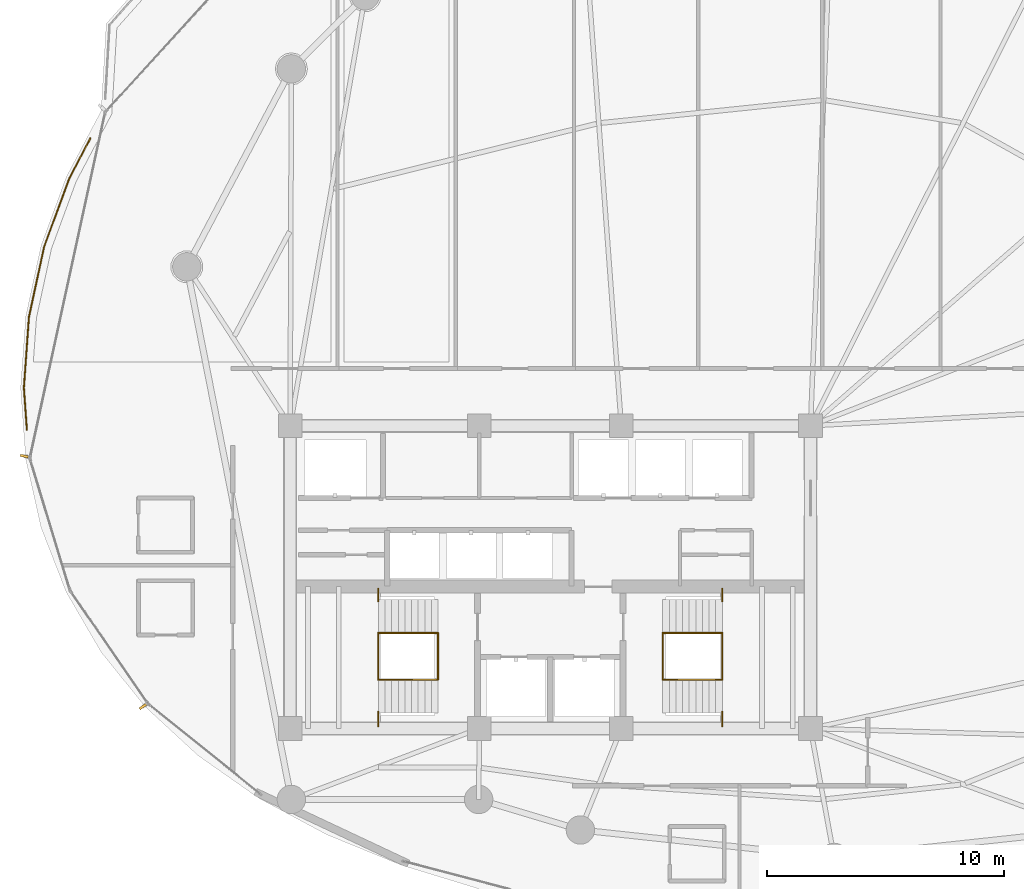
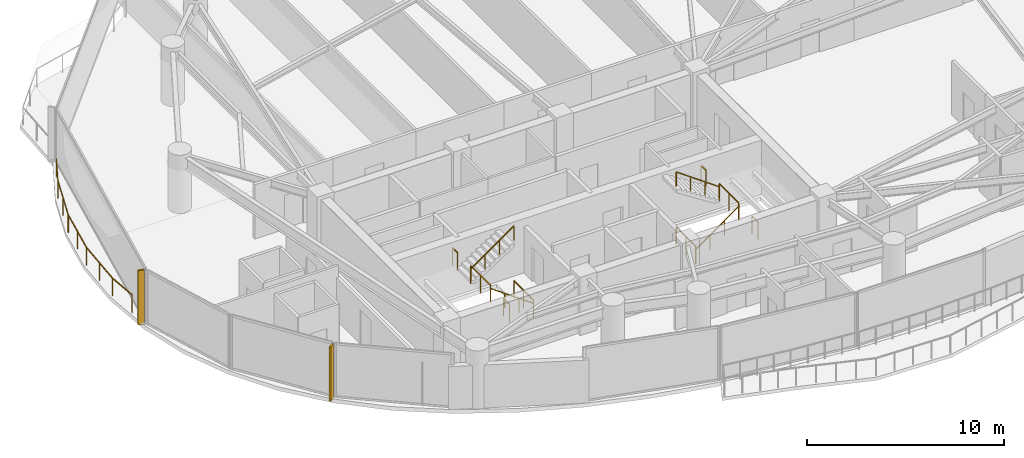
# One storey, part 31 of 34: 13 railings, 2 shading devices.
"""IFC4 building model written with IfcOpenShell, lengths in metres."""

from ifc_helpers import new_model, si_unit, direction, frame, origin, origin_2d, place, context, subcontext, project, spatial, rectangle, extrude, material, type_object, element, save


model = new_model("IFC4")

# Units and contexts
model_context = context("Model", 3, precision=1e-05, world=origin(), true_north=direction((0.0, 1.0)))
body_context = subcontext(model_context, "Body", "Model", "MODEL_VIEW")
ifc_project = project(units=[si_unit("LENGTHUNIT", "METRE"), si_unit("AREAUNIT", "SQUARE_METRE"), si_unit("VOLUMEUNIT", "CUBIC_METRE"), si_unit("PLANEANGLEUNIT", "RADIAN"), si_unit("MASSUNIT", "GRAM", prefix="KILO")], contexts=[model_context])

# Site, building, storey
site_placement = place(None, origin())
site = spatial("IfcSite", under=ifc_project, at=site_placement, CompositionType="ELEMENT")
building_placement = place(site_placement, origin())
building = spatial("IfcBuilding", under=site, at=building_placement, Name="Kazevale Care Tower and Concert Hall", CompositionType="ELEMENT")
storey_placement = place(building_placement, frame((0.0, 0.0, 156.60009765625)))
storey = spatial("IfcBuildingStorey", under=building, at=storey_placement, Name="L41", CompositionType="ELEMENT", Elevation=156.60009765625)

# Railings
ifc_material_1 = material(Name="Anodised Bronze Aluminium and Laminated Glass", Category="aluminium")
railing_type_1 = type_object("IfcRailingType", Name="Balcony and Terrace Balustrade 1120", PredefinedType="BALUSTRADE", material=ifc_material_1)
railing_1_placement = place(storey_placement, frame((10.867919921875, 36.22705078125, 0.0)))
element("IfcRailing", 1, at=railing_1_placement, inside=storey, type_object=railing_type_1, Name="rail:L41:perim:1", PredefinedType="BALUSTRADE", context=body_context, shape_type="SweptSolid", body=[
    extrude(rectangle(XDim=0.048095703125, YDim=0.048095703125, at=origin_2d()), frame((0.0, 0.0, 1.09619140625), z_axis=(-0.071969318028, 0.997406846409, 0.0), x_axis=(-0.997406846409, -0.071969318028, 0.0)), (0.0, 0.0, 1.0), 1.777587890625),
    extrude(rectangle(XDim=0.048095703125, YDim=0.048095703125, at=origin_2d()), frame((-0.1279296875, 1.77294921875, 1.09619140625), z_axis=(0.071442989214, 0.997444684828, 0.0), x_axis=(-0.997444684828, 0.071442989214, 0.0)), (0.0, 0.0, 1.0), 3.0107421875),
    extrude(rectangle(XDim=0.048095703125, YDim=0.048095703125, at=origin_2d()), frame((0.087158203125, 4.77587890625, 1.09619140625), z_axis=(0.211501042265, 0.97737777196, 0.0), x_axis=(-0.97737777196, 0.211501042265, 0.0)), (0.0, 0.0, 1.0), 3.03466796875),
    extrude(rectangle(XDim=0.048095703125, YDim=0.048095703125, at=origin_2d()), frame((0.72900390625, 7.741943359375, 1.09619140625), z_axis=(0.344808910619, 0.938672901046, 0.0), x_axis=(-0.938672901046, 0.344808910619, 0.0)), (0.0, 0.0, 1.0), 3.080078125),
    extrude(rectangle(XDim=0.048095703125, YDim=0.048095703125, at=origin_2d()), frame((1.791015625, 10.633056640625, 1.09619140625), z_axis=(0.466764151967, 0.884381832942, 0.0), x_axis=(-0.884381832942, 0.466764151967, 0.0)), (0.0, 0.0, 1.0), 1.91748046875),
    extrude(rectangle(XDim=0.0419921875, YDim=0.0419921875, at=origin_2d()), origin(), (0.0, 0.0, 1.0), 1.072021484375),
    extrude(rectangle(XDim=0.0419921875, YDim=0.0419921875, at=origin_2d()), frame((-0.1279296875, 1.77294921875, 0.0)), (0.0, 0.0, 1.0), 1.072021484375),
    extrude(rectangle(XDim=0.0419921875, YDim=0.0419921875, at=origin_2d()), frame((-0.0205078125, 3.2744140625, 0.0)), (0.0, 0.0, 1.0), 1.072021484375),
    extrude(rectangle(XDim=0.0419921875, YDim=0.0419921875, at=origin_2d()), frame((0.087158203125, 4.77587890625, 0.0)), (0.0, 0.0, 1.0), 1.072021484375),
    extrude(rectangle(XDim=0.0419921875, YDim=0.0419921875, at=origin_2d()), frame((0.408203125, 6.2587890625, 0.0)), (0.0, 0.0, 1.0), 1.072021484375),
    extrude(rectangle(XDim=0.0419921875, YDim=0.0419921875, at=origin_2d()), frame((0.72900390625, 7.741943359375, 0.0)), (0.0, 0.0, 1.0), 1.072021484375),
    extrude(rectangle(XDim=0.0419921875, YDim=0.0419921875, at=origin_2d()), frame((1.260009765625, 9.1875, 0.0)), (0.0, 0.0, 1.0), 1.072021484375),
    extrude(rectangle(XDim=0.0419921875, YDim=0.0419921875, at=origin_2d()), frame((1.791015625, 10.633056640625, 0.0)), (0.0, 0.0, 1.0), 1.072021484375),
    extrude(rectangle(XDim=0.0419921875, YDim=0.0419921875, at=origin_2d()), frame((2.68603515625, 12.328857421875, 0.0)), (0.0, 0.0, 1.0), 1.072021484375),
])
ifc_material_2 = material(Name="Stainless Steel 316", Category="steel")
railing_type_2 = type_object("IfcRailingType", Name="Stair Pitch Handrail 920", PredefinedType="HANDRAIL", material=ifc_material_2)
railing_2_placement = place(storey_placement, frame((28.25, 25.659912109375, 0.0)))
element("IfcRailing", 2, at=railing_2_placement, inside=storey, type_object=railing_type_2, Name="stair:L41:ST1:hr1", PredefinedType="HANDRAIL", context=body_context, shape_type="SweptSolid", body=[
    extrude(rectangle(XDim=0.048095703125, YDim=0.048095703125, at=origin_2d()), frame((0.0, 0.0, 0.89599609375), z_axis=(-0.813765431312, 0.0, 0.581193446971), x_axis=(0.0, -1.0, 0.0)), (0.0, 0.0, 1.0), 3.0966796875),
    extrude(rectangle(XDim=0.0419921875, YDim=0.0419921875, at=origin_2d()), origin(), (0.0, 0.0, 1.0), 0.871826171875),
    extrude(rectangle(XDim=0.0419921875, YDim=0.0419921875, at=origin_2d()), frame((-0.840087890625, 0.0, 0.599853515625)), (0.0, 0.0, 1.0), 0.871826171875),
    extrude(rectangle(XDim=0.0419921875, YDim=0.0419921875, at=origin_2d()), frame((-1.679931640625, 0.0, 1.199951171875)), (0.0, 0.0, 1.0), 0.871826171875),
    extrude(rectangle(XDim=0.0419921875, YDim=0.0419921875, at=origin_2d()), frame((-2.52001953125, 0.0, 1.7998046875)), (0.0, 0.0, 1.0), 0.871826171875),
])
railing_3_placement = place(storey_placement, frame((25.72998046875, 27.639892578125, 1.7998046875)))
element("IfcRailing", 3, at=railing_3_placement, inside=storey, type_object=railing_type_2, Name="stair:L41:ST1:hr2", PredefinedType="HANDRAIL", context=body_context, shape_type="SweptSolid", body=[
    extrude(rectangle(XDim=0.048095703125, YDim=0.048095703125, at=origin_2d()), frame((0.0, 0.0, 0.89599609375), z_axis=(0.813728144527, 0.0, 0.581245650998), x_axis=(0.0, 1.0, 0.0)), (0.0, 0.0, 1.0), 3.096923828125),
    extrude(rectangle(XDim=0.0419921875, YDim=0.0419921875, at=origin_2d()), origin(), (0.0, 0.0, 1.0), 0.871826171875),
    extrude(rectangle(XDim=0.0419921875, YDim=0.0419921875, at=origin_2d()), frame((0.840087890625, 0.0, 0.60009765625)), (0.0, 0.0, 1.0), 0.871826171875),
    extrude(rectangle(XDim=0.0419921875, YDim=0.0419921875, at=origin_2d()), frame((1.679931640625, 0.0, 1.199951171875)), (0.0, 0.0, 1.0), 0.871826171875),
    extrude(rectangle(XDim=0.0419921875, YDim=0.0419921875, at=origin_2d()), frame((2.52001953125, 0.0, 1.800048828125)), (0.0, 0.0, 1.0), 0.871826171875),
])
railing_4_placement = place(storey_placement, frame((37.75, 25.659912109375, 0.0)))
element("IfcRailing", 4, at=railing_4_placement, inside=storey, type_object=railing_type_2, Name="stair:L41:ST2:hr1", PredefinedType="HANDRAIL", context=body_context, shape_type="SweptSolid", body=[
    extrude(rectangle(XDim=0.048095703125, YDim=0.048095703125, at=origin_2d()), frame((0.0, 0.0, 0.89599609375), z_axis=(0.813765431312, 0.0, 0.581193446971), x_axis=(0.0, 1.0, 0.0)), (0.0, 0.0, 1.0), 3.0966796875),
    extrude(rectangle(XDim=0.0419921875, YDim=0.0419921875, at=origin_2d()), origin(), (0.0, 0.0, 1.0), 0.871826171875),
    extrude(rectangle(XDim=0.0419921875, YDim=0.0419921875, at=origin_2d()), frame((0.840087890625, 0.0, 0.599853515625)), (0.0, 0.0, 1.0), 0.871826171875),
    extrude(rectangle(XDim=0.0419921875, YDim=0.0419921875, at=origin_2d()), frame((1.679931640625, 0.0, 1.199951171875)), (0.0, 0.0, 1.0), 0.871826171875),
    extrude(rectangle(XDim=0.0419921875, YDim=0.0419921875, at=origin_2d()), frame((2.52001953125, 0.0, 1.7998046875)), (0.0, 0.0, 1.0), 0.871826171875),
])
railing_5_placement = place(storey_placement, frame((40.27001953125, 27.639892578125, 1.7998046875)))
element("IfcRailing", 5, at=railing_5_placement, inside=storey, type_object=railing_type_2, Name="stair:L41:ST2:hr2", PredefinedType="HANDRAIL", context=body_context, shape_type="SweptSolid", body=[
    extrude(rectangle(XDim=0.048095703125, YDim=0.048095703125, at=origin_2d()), frame((0.0, 0.0, 0.89599609375), z_axis=(-0.813728144527, 0.0, 0.581245650998), x_axis=(0.0, -1.0, 0.0)), (0.0, 0.0, 1.0), 3.096923828125),
    extrude(rectangle(XDim=0.0419921875, YDim=0.0419921875, at=origin_2d()), origin(), (0.0, 0.0, 1.0), 0.871826171875),
    extrude(rectangle(XDim=0.0419921875, YDim=0.0419921875, at=origin_2d()), frame((-0.840087890625, 0.0, 0.60009765625)), (0.0, 0.0, 1.0), 0.871826171875),
    extrude(rectangle(XDim=0.0419921875, YDim=0.0419921875, at=origin_2d()), frame((-1.679931640625, 0.0, 1.199951171875)), (0.0, 0.0, 1.0), 0.871826171875),
    extrude(rectangle(XDim=0.0419921875, YDim=0.0419921875, at=origin_2d()), frame((-2.52001953125, 0.0, 1.800048828125)), (0.0, 0.0, 1.0), 0.871826171875),
])
railing_type_3 = type_object("IfcRailingType", Name="Stair Well Guard Balustrade 1120", PredefinedType="BALUSTRADE", material=ifc_material_2)
railing_6_placement = place(storey_placement, frame((25.72998046875, 23.699951171875, 1.7998046875)))
element("IfcRailing", 6, at=railing_6_placement, inside=storey, type_object=railing_type_3, Name="stair:L41:ST1:grd_side1", PredefinedType="BALUSTRADE", context=body_context, shape_type="SweptSolid", body=[
    extrude(rectangle(XDim=0.048095703125, YDim=0.048095703125, at=origin_2d()), frame((0.0, 0.0, 1.09619140625), z_axis=(0.0, 1.0, 0.0), x_axis=(-1.0, 0.0, 0.0)), (0.0, 0.0, 1.0), 0.610107421875),
    extrude(rectangle(XDim=0.0419921875, YDim=0.0419921875, at=origin_2d()), origin(), (0.0, 0.0, 1.0), 1.072021484375),
    extrude(rectangle(XDim=0.0419921875, YDim=0.0419921875, at=origin_2d()), frame((0.0, 0.610107421875, 0.0)), (0.0, 0.0, 1.0), 1.072021484375),
])
railing_7_placement = place(storey_placement, frame((25.72998046875, 28.989990234375, 1.7998046875)))
element("IfcRailing", 7, at=railing_7_placement, inside=storey, type_object=railing_type_3, Name="stair:L41:ST1:grd_side2", PredefinedType="BALUSTRADE", context=body_context, shape_type="SweptSolid", body=[
    extrude(rectangle(XDim=0.048095703125, YDim=0.048095703125, at=origin_2d()), frame((0.0, 0.0, 1.09619140625), z_axis=(0.0, 1.0, 0.0), x_axis=(-1.0, 0.0, 0.0)), (0.0, 0.0, 1.0), 0.510009765625),
    extrude(rectangle(XDim=0.0419921875, YDim=0.0419921875, at=origin_2d()), origin(), (0.0, 0.0, 1.0), 1.072021484375),
    extrude(rectangle(XDim=0.0419921875, YDim=0.0419921875, at=origin_2d()), frame((0.0, 0.510009765625, 0.0)), (0.0, 0.0, 1.0), 1.072021484375),
])
for number, where, name in (
    (8, (25.72998046875, 25.659912109375, 1.7998046875), "stair:L41:ST1:grd_mid"),
    (9, (28.25, 25.659912109375, 0.0), "stair:L41:ST1:grd_flr"),
):
    element("IfcRailing", number, at=place(storey_placement, frame(where)), inside=storey, type_object=railing_type_3, Name=name, PredefinedType="BALUSTRADE", context=body_context, shape_type="SweptSolid", body=[
        extrude(rectangle(XDim=0.048095703125, YDim=0.048095703125, at=origin_2d()), frame((0.0, 0.0, 1.09619140625), z_axis=(0.0, 1.0, 0.0), x_axis=(-1.0, 0.0, 0.0)), (0.0, 0.0, 1.0), 1.97998046875),
        extrude(rectangle(XDim=0.0419921875, YDim=0.0419921875, at=origin_2d()), origin(), (0.0, 0.0, 1.0), 1.072021484375),
        extrude(rectangle(XDim=0.0419921875, YDim=0.0419921875, at=origin_2d()), frame((0.0, 0.989990234375, 0.0)), (0.0, 0.0, 1.0), 1.072021484375),
        extrude(rectangle(XDim=0.0419921875, YDim=0.0419921875, at=origin_2d()), frame((0.0, 1.97998046875, 0.0)), (0.0, 0.0, 1.0), 1.072021484375),
    ])
railing_8_placement = place(storey_placement, frame((40.27001953125, 23.699951171875, 1.7998046875)))
element("IfcRailing", 10, at=railing_8_placement, inside=storey, type_object=railing_type_3, Name="stair:L41:ST2:grd_side1", PredefinedType="BALUSTRADE", context=body_context, shape_type="SweptSolid", body=[
    extrude(rectangle(XDim=0.048095703125, YDim=0.048095703125, at=origin_2d()), frame((0.0, 0.0, 1.09619140625), z_axis=(0.0, 1.0, 0.0), x_axis=(-1.0, 0.0, 0.0)), (0.0, 0.0, 1.0), 0.610107421875),
    extrude(rectangle(XDim=0.0419921875, YDim=0.0419921875, at=origin_2d()), origin(), (0.0, 0.0, 1.0), 1.072021484375),
    extrude(rectangle(XDim=0.0419921875, YDim=0.0419921875, at=origin_2d()), frame((0.0, 0.610107421875, 0.0)), (0.0, 0.0, 1.0), 1.072021484375),
])
railing_9_placement = place(storey_placement, frame((40.27001953125, 28.989990234375, 1.7998046875)))
element("IfcRailing", 11, at=railing_9_placement, inside=storey, type_object=railing_type_3, Name="stair:L41:ST2:grd_side2", PredefinedType="BALUSTRADE", context=body_context, shape_type="SweptSolid", body=[
    extrude(rectangle(XDim=0.048095703125, YDim=0.048095703125, at=origin_2d()), frame((0.0, 0.0, 1.09619140625), z_axis=(0.0, 1.0, 0.0), x_axis=(-1.0, 0.0, 0.0)), (0.0, 0.0, 1.0), 0.510009765625),
    extrude(rectangle(XDim=0.0419921875, YDim=0.0419921875, at=origin_2d()), origin(), (0.0, 0.0, 1.0), 1.072021484375),
    extrude(rectangle(XDim=0.0419921875, YDim=0.0419921875, at=origin_2d()), frame((0.0, 0.510009765625, 0.0)), (0.0, 0.0, 1.0), 1.072021484375),
])
for number, where, name in (
    (12, (40.27001953125, 25.659912109375, 1.7998046875), "stair:L41:ST2:grd_mid"),
    (13, (37.75, 25.659912109375, 0.0), "stair:L41:ST2:grd_flr"),
):
    element("IfcRailing", number, at=place(storey_placement, frame(where)), inside=storey, type_object=railing_type_3, Name=name, PredefinedType="BALUSTRADE", context=body_context, shape_type="SweptSolid", body=[
        extrude(rectangle(XDim=0.048095703125, YDim=0.048095703125, at=origin_2d()), frame((0.0, 0.0, 1.09619140625), z_axis=(0.0, 1.0, 0.0), x_axis=(-1.0, 0.0, 0.0)), (0.0, 0.0, 1.0), 1.97998046875),
        extrude(rectangle(XDim=0.0419921875, YDim=0.0419921875, at=origin_2d()), origin(), (0.0, 0.0, 1.0), 1.072021484375),
        extrude(rectangle(XDim=0.0419921875, YDim=0.0419921875, at=origin_2d()), frame((0.0, 0.989990234375, 0.0)), (0.0, 0.0, 1.0), 1.072021484375),
        extrude(rectangle(XDim=0.0419921875, YDim=0.0419921875, at=origin_2d()), frame((0.0, 1.97998046875, 0.0)), (0.0, 0.0, 1.0), 1.072021484375),
    ])

# Shading devices
ifc_material_3 = material(Name="Anodised Bronze Aluminium", Category="aluminium")
shading_device_type = type_object("IfcShadingDeviceType", Name="Waist Anodised Bronze-Stone Fin FIN-02", PredefinedType="USERDEFINED", material=ifc_material_3)
for number, where, z_axis, x_axis, name in (
    (14, (15.7705078125, 24.525634765625, 0.0), (0.0, 0.0, 1.0), (-0.823334533242, -0.567556381667, 0.0), "cw:L41:f11:fin"),
    (15, (10.75341796875, 35.11767578125, 0.0), (0.0, 0.0, 1.0), (-0.97708274037, 0.212859856409, 0.0), "cw:L41:f13:fin"),
):
    element("IfcShadingDevice", number, at=place(storey_placement, frame(where, z_axis=z_axis, x_axis=x_axis)), inside=storey, type_object=shading_device_type, Name=name, ObjectType="FIN", PredefinedType="USERDEFINED", context=body_context, shape_type="SweptSolid", body=[
        extrude(rectangle(XDim=0.340087890625, YDim=0.10009765625, at=origin_2d()), origin(), (0.0, 0.0, 1.0), 3.360107421875),
    ])

save(model, "model.ifc")
